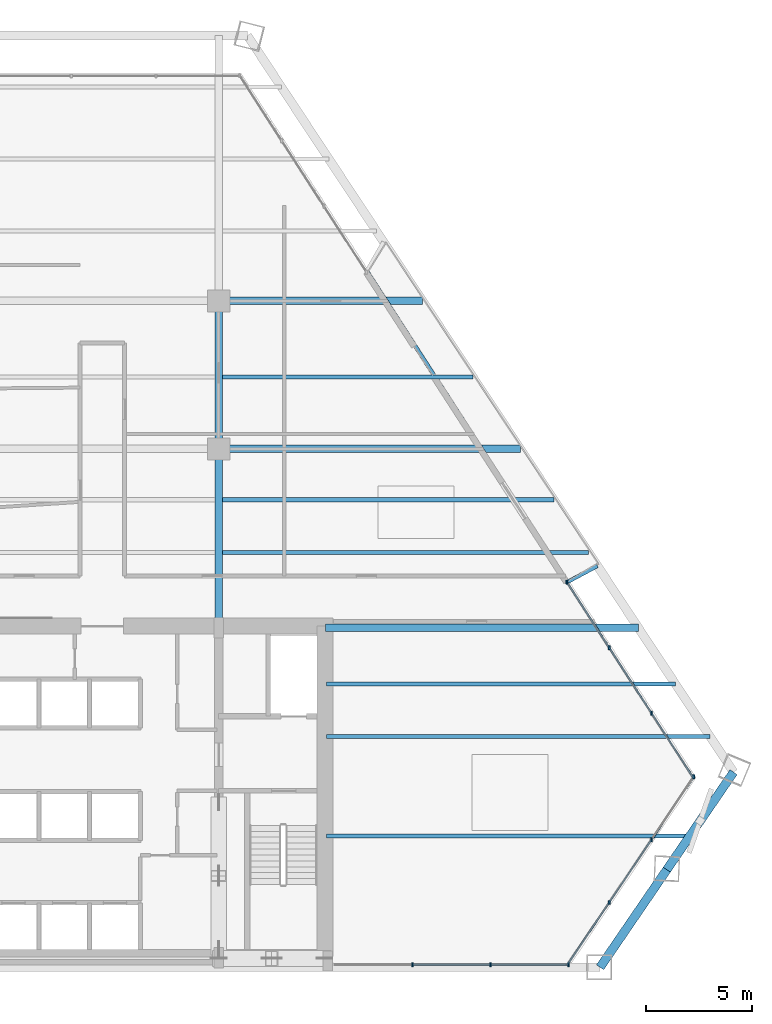
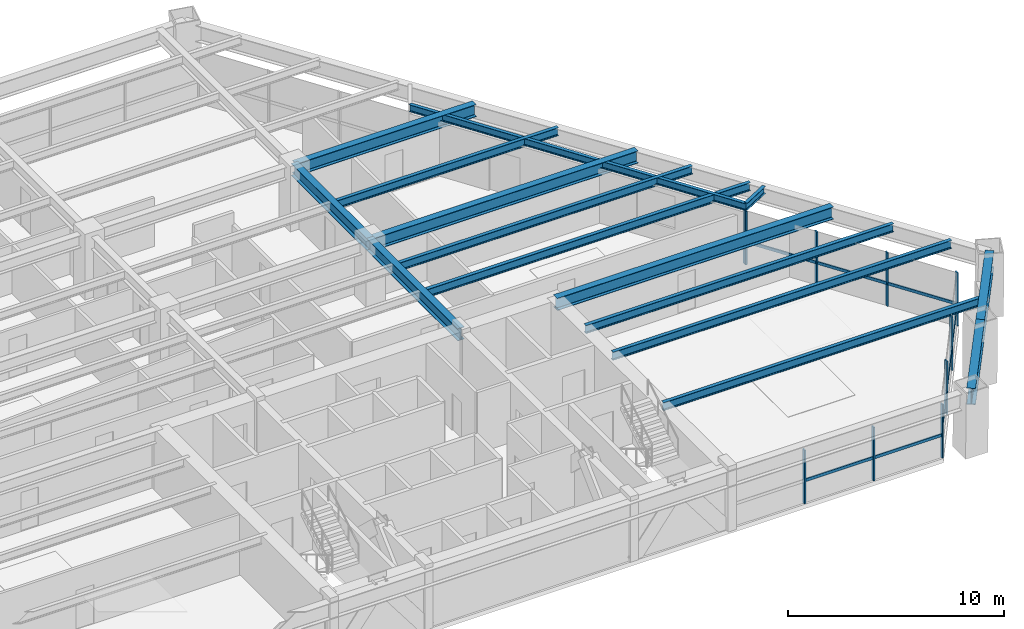
# One storey, part 6 of 14: 18 members, 15 beams, 3 elements without a shape of their own.
"""IFC4 building model written with IfcOpenShell, lengths in metres."""

from ifc_helpers import new_model, si_unit, direction, frame, origin, origin_2d, place, context, subcontext, project, spatial, rectangle, i_section, extrude, source, transform, mapped, material, material_profile, profile_set, type_object, type_shapes, element, aggregate, save


model = new_model("IFC4")

# Units and contexts
model_context = context("Model", 3, precision=1e-05, world=origin(), true_north=direction((0.0, 1.0)))
body_context = subcontext(model_context, "Body", "Model", "MODEL_VIEW")
ifc_project = project(units=[si_unit("LENGTHUNIT", "METRE"), si_unit("AREAUNIT", "SQUARE_METRE"), si_unit("VOLUMEUNIT", "CUBIC_METRE"), si_unit("PLANEANGLEUNIT", "RADIAN"), si_unit("MASSUNIT", "GRAM", prefix="KILO")], contexts=[model_context])

# Site, building, storey
site_placement = place(None, origin())
site = spatial("IfcSite", under=ifc_project, at=site_placement, CompositionType="ELEMENT")
building_placement = place(site_placement, origin())
building = spatial("IfcBuilding", under=site, at=building_placement, Name="Varnakhor Terracotta Tower", CompositionType="ELEMENT")
storey_placement = place(building_placement, frame((0.0, 0.0, 98.800048828125)))
storey = spatial("IfcBuildingStorey", under=building, at=storey_placement, Name="L24", CompositionType="ELEMENT", Elevation=98.800048828125)

# Beams
ifc_material_1 = material(Name="Steel S355", Category="steel")
ifc_material_profile_1 = material_profile(ifc_material_1, i_section(OverallWidth=0.35498046875, OverallDepth=0.695068359375, WebThickness=0.014892578125, FlangeThickness=0.02490234375, FilletRadius=0.01806640625, at=origin_2d()), Name="W27X146")
ifc_profile_set_1 = profile_set([ifc_material_profile_1], Name="Steel S355")
beam_type_1 = type_object("IfcBeamType", Name="BM-W27X146", PredefinedType="BEAM", material=ifc_profile_set_1)
shared_shape_1 = source(origin(), body_context, "Body", "SweptSolid", [
    extrude(i_section(OverallWidth=0.35498046875, OverallDepth=0.695068359375, WebThickness=0.014892578125, FlangeThickness=0.02490234375, FilletRadius=0.01806640625, at=origin_2d()), origin(), (0.0, 0.0, 1.0), 8.449951171875),
])
type_shapes(beam_type_1, [shared_shape_1])
beam_1_placement = place(storey_placement, frame((5.5, 16.050048828125, 3.1025390625), z_axis=(0.0, 1.0, 0.0), x_axis=(-1.0, 0.0, 0.0)))
element("IfcBeam", 1, at=beam_1_placement, inside=storey, type_object=beam_type_1, Name="L24 Primary Girder NS1-E", PredefinedType="BEAM", context=body_context, shape_type="MappedRepresentation", body=[
    mapped(shared_shape_1, transform((0.0, 0.0, 0.0), scale=1.0)),
])
shared_shape_2 = source(origin(), body_context, "Body", "SweptSolid", [
    extrude(i_section(OverallWidth=0.35498046875, OverallDepth=0.695068359375, WebThickness=0.014892578125, FlangeThickness=0.02490234375, FilletRadius=0.01806640625, at=origin_2d()), origin(), (0.0, 0.0, 1.0), 7.0),
])
beam_2_placement = place(storey_placement, frame((5.5, 24.5, 3.1025390625), z_axis=(0.0, 1.0, 0.0), x_axis=(-1.0, 0.0, 0.0)))
element("IfcBeam", 2, at=beam_2_placement, inside=storey, type_object=beam_type_1, Name="L24 Primary Girder NS2-E", PredefinedType="BEAM", context=body_context, shape_type="MappedRepresentation", body=[
    mapped(shared_shape_2, transform((0.0, 0.0, 0.0), scale=1.0)),
])
ifc_material_profile_2 = material_profile(ifc_material_1, i_section(OverallWidth=0.41796875, OverallDepth=0.927001953125, WebThickness=0.01904296875, FlangeThickness=0.031982421875, FilletRadius=0.01806640625, at=origin_2d()), Name="W36X231")
ifc_profile_set_2 = profile_set([ifc_material_profile_2], Name="Steel S355")
beam_type_2 = type_object("IfcBeamType", Name="BM-W36X231", PredefinedType="BEAM", material=ifc_profile_set_2)
shared_shape_3 = source(origin(), body_context, "Body", "SweptSolid", [
    extrude(i_section(OverallWidth=0.41796875, OverallDepth=0.927001953125, WebThickness=0.01904296875, FlangeThickness=0.031982421875, FilletRadius=0.01806640625, at=origin_2d()), origin(), (0.0, 0.0, 1.0), 5.58935546875),
])
beam_3_placement = place(storey_placement, frame((23.525390625, 0.0, 2.986572265625), z_axis=(0.564599355988, 0.825365111461, 0.0), x_axis=(-0.825365111461, 0.564599355988, 0.0)))
element("IfcBeam", 3, at=beam_3_placement, inside=storey, type_object=beam_type_2, Name="L24 Perimeter Spandrel 2", PredefinedType="BEAM", context=body_context, shape_type="MappedRepresentation", body=[
    mapped(shared_shape_3, transform((0.0, 0.0, 0.0), scale=1.0)),
])
shared_shape_4 = source(origin(), body_context, "Body", "SweptSolid", [
    extrude(i_section(OverallWidth=0.41796875, OverallDepth=0.927001953125, WebThickness=0.01904296875, FlangeThickness=0.031982421875, FilletRadius=0.01806640625, at=origin_2d()), origin(), (0.0, 0.0, 1.0), 5.589111328125),
])
beam_4_placement = place(storey_placement, frame((26.68115234375, 4.61328125, 2.986572265625), z_axis=(0.564619711157, 0.825351186934, 0.0), x_axis=(-0.825351186934, 0.564619711157, 0.0)))
element("IfcBeam", 4, at=beam_4_placement, inside=storey, type_object=beam_type_2, Name="L24 Perimeter Spandrel 3", PredefinedType="BEAM", context=body_context, shape_type="MappedRepresentation", body=[
    mapped(shared_shape_4, transform((0.0, 0.0, 0.0), scale=1.0)),
])
ifc_material_profile_3 = material_profile(ifc_material_1, i_section(OverallWidth=0.179931640625, OverallDepth=0.39990234375, WebThickness=0.008544921875, FlangeThickness=0.013427734375, FilletRadius=0.01806640625, at=origin_2d()), Name="IPE400")
ifc_profile_set_3 = profile_set([ifc_material_profile_3], Name="Steel S355")
beam_type_3 = type_object("IfcBeamType", Name="JST-IPE400", PredefinedType="JOIST", material=ifc_profile_set_3)
shared_shape_5 = source(origin(), body_context, "Body", "SweptSolid", [
    extrude(i_section(OverallWidth=0.179931640625, OverallDepth=0.39990234375, WebThickness=0.008544921875, FlangeThickness=0.013427734375, FilletRadius=0.01806640625, at=origin_2d()), origin(), (0.0, 0.0, 1.0), 17.494140625),
])
beam_5_placement = place(storey_placement, frame((21.9833984375, 18.211181640625, 3.25), z_axis=(-0.541920873705, 0.840429513191, 0.0), x_axis=(-0.840429513191, -0.541920873705, 0.0)))
element("IfcBeam", 5, at=beam_5_placement, inside=storey, type_object=beam_type_3, Name="L24 Loggia Edge Beam 1", PredefinedType="JOIST", context=body_context, shape_type="MappedRepresentation", body=[
    mapped(shared_shape_5, transform((0.0, 0.0, 0.0), scale=1.0)),
])
shared_shape_6 = source(origin(), body_context, "Body", "SweptSolid", [
    extrude(i_section(OverallWidth=0.35498046875, OverallDepth=0.695068359375, WebThickness=0.014892578125, FlangeThickness=0.02490234375, FilletRadius=0.01806640625, at=origin_2d()), origin(), (0.0, 0.0, 1.0), 14.782958984375),
])
beam_6_placement = place(storey_placement, frame((10.550048828125, 16.050048828125, 3.1025390625), z_axis=(1.0, 0.0, 0.0), x_axis=(0.0, 1.0, 0.0)))
element("IfcBeam", 6, at=beam_6_placement, inside=storey, type_object=beam_type_1, Name="L24 Wing Girder E", PredefinedType="BEAM", context=body_context, shape_type="MappedRepresentation", body=[
    mapped(shared_shape_6, transform((0.0, 0.0, 0.0), scale=1.0)),
])
shared_shape_7 = source(origin(), body_context, "Body", "SweptSolid", [
    extrude(i_section(OverallWidth=0.35498046875, OverallDepth=0.695068359375, WebThickness=0.014892578125, FlangeThickness=0.02490234375, FilletRadius=0.01806640625, at=origin_2d()), origin(), (0.0, 0.0, 1.0), 14.255615234375),
])
beam_7_placement = place(storey_placement, frame((5.5, 24.5, 3.1025390625), z_axis=(1.0, 0.0, 0.0), x_axis=(0.0, 1.0, 0.0)))
element("IfcBeam", 7, at=beam_7_placement, inside=storey, type_object=beam_type_1, Name="L24 Primary Girder EW2-3", PredefinedType="BEAM", context=body_context, shape_type="MappedRepresentation", body=[
    mapped(shared_shape_7, transform((0.0, 0.0, 0.0), scale=1.0)),
])
shared_shape_8 = source(origin(), body_context, "Body", "SweptSolid", [
    extrude(i_section(OverallWidth=0.35498046875, OverallDepth=0.695068359375, WebThickness=0.014892578125, FlangeThickness=0.02490234375, FilletRadius=0.01806640625, at=origin_2d()), origin(), (0.0, 0.0, 1.0), 9.635009765625),
])
beam_8_placement = place(storey_placement, frame((5.5, 31.5, 3.1025390625), z_axis=(1.0, 0.0, 0.0), x_axis=(0.0, 1.0, 0.0)))
element("IfcBeam", 8, at=beam_8_placement, inside=storey, type_object=beam_type_1, Name="L24 Primary Girder EW3-3", PredefinedType="BEAM", context=body_context, shape_type="MappedRepresentation", body=[
    mapped(shared_shape_8, transform((0.0, 0.0, 0.0), scale=1.0)),
])
ifc_material_profile_4 = material_profile(ifc_material_1, i_section(OverallWidth=0.19189453125, OverallDepth=0.462890625, WebThickness=0.010498046875, FlangeThickness=0.017578125, FilletRadius=0.01806640625, at=origin_2d()), Name="W18X60")
ifc_profile_set_4 = profile_set([ifc_material_profile_4], Name="Steel S355")
beam_type_4 = type_object("IfcBeamType", Name="JST-W18X60", PredefinedType="JOIST", material=ifc_profile_set_4)
shared_shape_9 = source(origin(), body_context, "Body", "SweptSolid", [
    extrude(i_section(OverallWidth=0.19189453125, OverallDepth=0.462890625, WebThickness=0.010498046875, FlangeThickness=0.017578125, FilletRadius=0.01806640625, at=origin_2d()), origin(), (0.0, 0.0, 1.0), 17.16650390625),
])
beam_9_placement = place(storey_placement, frame((10.60009765625, 6.199951171875, 3.218505859375), z_axis=(1.0, 0.0, 0.0), x_axis=(0.0, 1.0, 0.0)))
element("IfcBeam", 9, at=beam_9_placement, inside=storey, type_object=beam_type_4, Name="L24 Floor Joist E1", PredefinedType="JOIST", context=body_context, shape_type="MappedRepresentation", body=[
    mapped(shared_shape_9, transform((0.0, 0.0, 0.0), scale=1.0)),
])
shared_shape_10 = source(origin(), body_context, "Body", "SweptSolid", [
    extrude(i_section(OverallWidth=0.19189453125, OverallDepth=0.462890625, WebThickness=0.010498046875, FlangeThickness=0.017578125, FilletRadius=0.01806640625, at=origin_2d()), origin(), (0.0, 0.0, 1.0), 18.132080078125),
])
beam_10_placement = place(storey_placement, frame((10.60009765625, 10.89990234375, 3.218505859375), z_axis=(1.0, 0.0, 0.0), x_axis=(0.0, 1.0, 0.0)))
element("IfcBeam", 10, at=beam_10_placement, inside=storey, type_object=beam_type_4, Name="L24 Floor Joist E2", PredefinedType="JOIST", context=body_context, shape_type="MappedRepresentation", body=[
    mapped(shared_shape_10, transform((0.0, 0.0, 0.0), scale=1.0)),
])
shared_shape_11 = source(origin(), body_context, "Body", "SweptSolid", [
    extrude(i_section(OverallWidth=0.19189453125, OverallDepth=0.462890625, WebThickness=0.010498046875, FlangeThickness=0.017578125, FilletRadius=0.01806640625, at=origin_2d()), origin(), (0.0, 0.0, 1.0), 16.48193359375),
])
beam_11_placement = place(storey_placement, frame((10.60009765625, 13.39990234375, 3.218505859375), z_axis=(1.0, 0.0, 0.0), x_axis=(0.0, 1.0, 0.0)))
element("IfcBeam", 11, at=beam_11_placement, inside=storey, type_object=beam_type_4, Name="L24 Floor Joist E3", PredefinedType="JOIST", context=body_context, shape_type="MappedRepresentation", body=[
    mapped(shared_shape_11, transform((0.0, 0.0, 0.0), scale=1.0)),
])
shared_shape_12 = source(origin(), body_context, "Body", "SweptSolid", [
    extrude(i_section(OverallWidth=0.19189453125, OverallDepth=0.462890625, WebThickness=0.010498046875, FlangeThickness=0.017578125, FilletRadius=0.01806640625, at=origin_2d()), origin(), (0.0, 0.0, 1.0), 17.316162109375),
])
beam_12_placement = place(storey_placement, frame((5.673583984375, 19.60009765625, 3.218505859375), z_axis=(1.0, 0.0, 0.0), x_axis=(0.0, 1.0, 0.0)))
element("IfcBeam", 12, at=beam_12_placement, inside=storey, type_object=beam_type_4, Name="L24 Composite Floor Joist 4-3", PredefinedType="JOIST", context=body_context, shape_type="MappedRepresentation", body=[
    mapped(shared_shape_12, transform((0.0, 0.0, 0.0), scale=1.0)),
])
shared_shape_13 = source(origin(), body_context, "Body", "SweptSolid", [
    extrude(i_section(OverallWidth=0.19189453125, OverallDepth=0.462890625, WebThickness=0.010498046875, FlangeThickness=0.017578125, FilletRadius=0.01806640625, at=origin_2d()), origin(), (0.0, 0.0, 1.0), 15.666015625),
])
beam_13_placement = place(storey_placement, frame((5.673583984375, 22.10009765625, 3.218505859375), z_axis=(1.0, 0.0, 0.0), x_axis=(0.0, 1.0, 0.0)))
element("IfcBeam", 13, at=beam_13_placement, inside=storey, type_object=beam_type_4, Name="L24 Composite Floor Joist 5-3", PredefinedType="JOIST", context=body_context, shape_type="MappedRepresentation", body=[
    mapped(shared_shape_13, transform((0.0, 0.0, 0.0), scale=1.0)),
])
shared_shape_14 = source(origin(), body_context, "Body", "SweptSolid", [
    extrude(i_section(OverallWidth=0.19189453125, OverallDepth=0.462890625, WebThickness=0.010498046875, FlangeThickness=0.017578125, FilletRadius=0.01806640625, at=origin_2d()), origin(), (0.0, 0.0, 1.0), 11.837646484375),
])
beam_14_placement = place(storey_placement, frame((5.673583984375, 27.89990234375, 3.218505859375), z_axis=(1.0, 0.0, 0.0), x_axis=(0.0, 1.0, 0.0)))
element("IfcBeam", 14, at=beam_14_placement, inside=storey, type_object=beam_type_4, Name="L24 Composite Floor Joist 6-3", PredefinedType="JOIST", context=body_context, shape_type="MappedRepresentation", body=[
    mapped(shared_shape_14, transform((0.0, 0.0, 0.0), scale=1.0)),
])

# Curtain wall, members
ifc_material_2 = material(Name="Anodised Aluminium Curtain Wall System", Category="aluminium")
curtain_wall_type = type_object("IfcCurtainWallType", Name="CW-SYS-LOW-OFFICE", PredefinedType="NOTDEFINED", material=ifc_material_2)
curtain_wall_1_placement = place(storey_placement, origin())
curtain_wall_1 = element("IfcCurtainWall", 15, at=curtain_wall_1_placement, inside=storey, type_object=curtain_wall_type, Name="L24 E Facet Curtain Wall 2", PredefinedType="NOTDEFINED")
ifc_material_3 = material(Name="Anodised Aluminium 6063-T6", Category="aluminium")
ifc_material_profile_5 = material_profile(ifc_material_3, rectangle(XDim=0.074951171875, YDim=0.18505859375, at=origin_2d()), Name="ALU MULLION 75x185")
ifc_profile_set_5 = profile_set([ifc_material_profile_5], Name="Anodised Aluminium 6063-T6")
member_type_1 = type_object("IfcMemberType", Name="CWM-02", PredefinedType="MULLION", material=ifc_profile_set_5)
shared_shape_15 = source(origin(), body_context, "Body", "SweptSolid", [
    extrude(rectangle(XDim=0.074951171875, YDim=0.18505859375, at=origin_2d()), origin(), (0.0, 0.0, 1.0), 3.030029296875),
])
type_shapes(member_type_1, [shared_shape_15])
member_1_placement = place(storey_placement, frame((21.96533203125, 18.196533203125, 0.0), z_axis=(0.0, 0.0, 1.0), x_axis=(1.0, 0.0, 0.0)))
member_1 = element("IfcMember", 16, at=member_1_placement, type_object=member_type_1, Name="L24 E Facet Curtain Wall 2 Mullion 1", PredefinedType="MULLION", context=body_context, shape_type="MappedRepresentation", body=[
    mapped(shared_shape_15, transform((0.0, 0.0, 0.0), scale=1.0)),
])
member_2_placement = place(storey_placement, frame((23.961181640625, 15.107421875, 0.0), z_axis=(0.0, 0.0, 1.0), x_axis=(1.0, 0.0, 0.0)))
member_2 = element("IfcMember", 17, at=member_2_placement, type_object=member_type_1, Name="L24 E Facet Curtain Wall 2 Mullion 2", PredefinedType="MULLION", context=body_context, shape_type="MappedRepresentation", body=[
    mapped(shared_shape_15, transform((0.0, 0.0, 0.0), scale=1.0)),
])
member_3_placement = place(storey_placement, frame((25.956787109375, 12.01806640625, 0.0), z_axis=(0.0, 0.0, 1.0), x_axis=(1.0, 0.0, 0.0)))
member_3 = element("IfcMember", 18, at=member_3_placement, type_object=member_type_1, Name="L24 E Facet Curtain Wall 2 Mullion 3", PredefinedType="MULLION", context=body_context, shape_type="MappedRepresentation", body=[
    mapped(shared_shape_15, transform((0.0, 0.0, 0.0), scale=1.0)),
])
member_4_placement = place(storey_placement, frame((21.932373046875, 18.2109375, 0.0), z_axis=(0.0, 0.0, 1.0), x_axis=(1.0, 0.0, 0.0)))
member_4 = element("IfcMember", 19, at=member_4_placement, type_object=member_type_1, Name="L24 E Loggia Jamb Closure Mullion 2", PredefinedType="MULLION", context=body_context, shape_type="MappedRepresentation", body=[
    mapped(shared_shape_15, transform((0.0, 0.0, 0.0), scale=1.0)),
])

curtain_wall_2_placement = place(storey_placement, origin())
curtain_wall_2 = element("IfcCurtainWall", 20, at=curtain_wall_2_placement, inside=storey, type_object=curtain_wall_type, Name="L24 Facet Curtain Wall 4", PredefinedType="NOTDEFINED")
member_5_placement = place(storey_placement, frame((27.953125, 9.0107421875, 0.0), z_axis=(0.0, 0.0, 1.0), x_axis=(1.0, 0.0, 0.0)))
member_5 = element("IfcMember", 21, at=member_5_placement, type_object=member_type_1, Name="L24 Facet Curtain Wall 4 Mullion 1", PredefinedType="MULLION", context=body_context, shape_type="MappedRepresentation", body=[
    mapped(shared_shape_15, transform((0.0, 0.0, 0.0), scale=1.0)),
])
member_6_placement = place(storey_placement, frame((25.95751953125, 6.037841796875, 0.0), z_axis=(0.0, 0.0, 1.0), x_axis=(1.0, 0.0, 0.0)))
member_6 = element("IfcMember", 22, at=member_6_placement, type_object=member_type_1, Name="L24 Facet Curtain Wall 4 Mullion 2", PredefinedType="MULLION", context=body_context, shape_type="MappedRepresentation", body=[
    mapped(shared_shape_15, transform((0.0, 0.0, 0.0), scale=1.0)),
])
member_7_placement = place(storey_placement, frame((23.9619140625, 3.064697265625, 0.0), z_axis=(0.0, 0.0, 1.0), x_axis=(1.0, 0.0, 0.0)))
member_7 = element("IfcMember", 23, at=member_7_placement, type_object=member_type_1, Name="L24 Facet Curtain Wall 4 Mullion 3", PredefinedType="MULLION", context=body_context, shape_type="MappedRepresentation", body=[
    mapped(shared_shape_15, transform((0.0, 0.0, 0.0), scale=1.0)),
])

curtain_wall_3_placement = place(storey_placement, origin())
curtain_wall_3 = element("IfcCurtainWall", 24, at=curtain_wall_3_placement, inside=storey, type_object=curtain_wall_type, Name="L24 South Wing Curtain Wall SSE", PredefinedType="NOTDEFINED")
member_8_placement = place(storey_placement, frame((22.039306640625, 0.1201171875, 0.0), z_axis=(0.0, 0.0, 1.0), x_axis=(1.0, 0.0, 0.0)))
member_8 = element("IfcMember", 25, at=member_8_placement, type_object=member_type_1, Name="L24 South Wing Curtain Wall SSE Mullion 1", PredefinedType="MULLION", context=body_context, shape_type="MappedRepresentation", body=[
    mapped(shared_shape_15, transform((0.0, 0.0, 0.0), scale=1.0)),
])
member_9_placement = place(storey_placement, frame((18.349609375, 0.1201171875, 0.0), z_axis=(0.0, 0.0, 1.0), x_axis=(1.0, 0.0, 0.0)))
member_9 = element("IfcMember", 26, at=member_9_placement, type_object=member_type_1, Name="L24 South Wing Curtain Wall SSE Mullion 2", PredefinedType="MULLION", context=body_context, shape_type="MappedRepresentation", body=[
    mapped(shared_shape_15, transform((0.0, 0.0, 0.0), scale=1.0)),
])
member_10_placement = place(storey_placement, frame((14.659912109375, 0.1201171875, 0.0), z_axis=(0.0, 0.0, 1.0), x_axis=(1.0, 0.0, 0.0)))
member_10 = element("IfcMember", 27, at=member_10_placement, type_object=member_type_1, Name="L24 South Wing Curtain Wall SSE Mullion 3", PredefinedType="MULLION", context=body_context, shape_type="MappedRepresentation", body=[
    mapped(shared_shape_15, transform((0.0, 0.0, 0.0), scale=1.0)),
])

# Member
ifc_material_profile_6 = material_profile(ifc_material_3, rectangle(XDim=0.074951171875, YDim=0.1650390625, at=origin_2d()), Name="ALU TRANSOM 75x165")
ifc_profile_set_6 = profile_set([ifc_material_profile_6], Name="Anodised Aluminium 6063-T6")
member_type_2 = type_object("IfcMemberType", Name="CWT-02", PredefinedType="USERDEFINED", material=ifc_profile_set_6)
shared_shape_16 = source(origin(), body_context, "Body", "SweptSolid", [
    extrude(rectangle(XDim=0.074951171875, YDim=0.1650390625, at=origin_2d()), origin(), (0.0, 0.0, 1.0), 3.677734375),
])
member_11_placement = place(storey_placement, frame((21.96533203125, 18.196533203125, 1.2724609375), z_axis=(0.542678641468, -0.839940409847, 0.0), x_axis=(0.839940409847, 0.542678641468, 0.0)))
member_11 = element("IfcMember", 28, at=member_11_placement, type_object=member_type_2, Name="L24 E Facet Curtain Wall 2 Transom 1", ObjectType="TRANSOM", PredefinedType="USERDEFINED", context=body_context, shape_type="MappedRepresentation", body=[
    mapped(shared_shape_16, transform((0.0, 0.0, 0.0), scale=1.0)),
])

member_12_placement = place(storey_placement, frame((23.961181640625, 15.107421875, 1.2724609375), z_axis=(0.542601549296, -0.839990213456, 0.0), x_axis=(0.839990213456, 0.542601549296, 0.0)))
member_12 = element("IfcMember", 29, at=member_12_placement, type_object=member_type_2, Name="L24 E Facet Curtain Wall 2 Transom 2", ObjectType="TRANSOM", PredefinedType="USERDEFINED", context=body_context, shape_type="MappedRepresentation", body=[
    mapped(shared_shape_16, transform((0.0, 0.0, 0.0), scale=1.0)),
])

member_13_placement = place(storey_placement, frame((25.956787109375, 12.01806640625, 1.2724609375), z_axis=(0.542631805944, -0.839970668046, 0.0), x_axis=(0.839970668046, 0.542631805944, 0.0)))
member_13 = element("IfcMember", 30, at=member_13_placement, type_object=member_type_2, Name="L24 E Facet Curtain Wall 2 Transom 3", ObjectType="TRANSOM", PredefinedType="USERDEFINED", context=body_context, shape_type="MappedRepresentation", body=[
    mapped(shared_shape_16, transform((0.0, 0.0, 0.0), scale=1.0)),
])

aggregate(curtain_wall_1, [member_1, member_11, member_2, member_12, member_3, member_13, member_4])

shared_shape_17 = source(origin(), body_context, "Body", "SweptSolid", [
    extrude(rectangle(XDim=0.074951171875, YDim=0.1650390625, at=origin_2d()), origin(), (0.0, 0.0, 1.0), 3.58056640625),
])
member_14_placement = place(storey_placement, frame((27.953125, 9.0107421875, 1.2724609375), z_axis=(-0.557340860957, -0.830283785647, 0.0), x_axis=(0.830283785647, -0.557340860957, 0.0)))
member_14 = element("IfcMember", 31, at=member_14_placement, type_object=member_type_2, Name="L24 Facet Curtain Wall 4 Transom 1", ObjectType="TRANSOM", PredefinedType="USERDEFINED", context=body_context, shape_type="MappedRepresentation", body=[
    mapped(shared_shape_17, transform((0.0, 0.0, 0.0), scale=1.0)),
])

member_15_placement = place(storey_placement, frame((23.9619140625, 3.064697265625, 1.2724609375), z_axis=(-0.557340860957, -0.830283785647, 0.0), x_axis=(0.830283785647, -0.557340860957, 0.0)))
member_15 = element("IfcMember", 32, at=member_15_placement, type_object=member_type_2, Name="L24 Facet Curtain Wall 4 Transom 3", ObjectType="TRANSOM", PredefinedType="USERDEFINED", context=body_context, shape_type="MappedRepresentation", body=[
    mapped(shared_shape_17, transform((0.0, 0.0, 0.0), scale=1.0)),
])

shared_shape_18 = source(origin(), body_context, "Body", "SweptSolid", [
    extrude(rectangle(XDim=0.074951171875, YDim=0.1650390625, at=origin_2d()), origin(), (0.0, 0.0, 1.0), 3.580810546875),
])
member_16_placement = place(storey_placement, frame((25.95751953125, 6.037841796875, 1.2724609375), z_axis=(-0.557309309847, -0.830304963949, 0.0), x_axis=(0.830304963949, -0.557309309847, 0.0)))
member_16 = element("IfcMember", 33, at=member_16_placement, type_object=member_type_2, Name="L24 Facet Curtain Wall 4 Transom 2", ObjectType="TRANSOM", PredefinedType="USERDEFINED", context=body_context, shape_type="MappedRepresentation", body=[
    mapped(shared_shape_18, transform((0.0, 0.0, 0.0), scale=1.0)),
])

aggregate(curtain_wall_2, [member_5, member_14, member_6, member_16, member_7, member_15])

shared_shape_19 = source(origin(), body_context, "Body", "SweptSolid", [
    extrude(rectangle(XDim=0.074951171875, YDim=0.1650390625, at=origin_2d()), origin(), (0.0, 0.0, 1.0), 3.689697265625),
])
member_17_placement = place(storey_placement, frame((22.039306640625, 0.1201171875, 1.2724609375), z_axis=(-1.0, 0.0, 0.0), x_axis=(0.0, -1.0, 0.0)))
member_17 = element("IfcMember", 34, at=member_17_placement, type_object=member_type_2, Name="L24 South Wing Curtain Wall SSE Transom 1", ObjectType="TRANSOM", PredefinedType="USERDEFINED", context=body_context, shape_type="MappedRepresentation", body=[
    mapped(shared_shape_19, transform((0.0, 0.0, 0.0), scale=1.0)),
])

member_18_placement = place(storey_placement, frame((18.349609375, 0.1201171875, 1.2724609375), z_axis=(-1.0, 0.0, 0.0), x_axis=(0.0, -1.0, 0.0)))
member_18 = element("IfcMember", 35, at=member_18_placement, type_object=member_type_2, Name="L24 South Wing Curtain Wall SSE Transom 2", ObjectType="TRANSOM", PredefinedType="USERDEFINED", context=body_context, shape_type="MappedRepresentation", body=[
    mapped(shared_shape_19, transform((0.0, 0.0, 0.0), scale=1.0)),
])

aggregate(curtain_wall_3, [member_8, member_17, member_9, member_18, member_10])

# Beam
shared_shape_20 = source(origin(), body_context, "Body", "SweptSolid", [
    extrude(i_section(OverallWidth=0.179931640625, OverallDepth=0.39990234375, WebThickness=0.008544921875, FlangeThickness=0.013427734375, FilletRadius=0.01806640625, at=origin_2d()), origin(), (0.0, 0.0, 1.0), 1.611328125),
])
beam_15_placement = place(storey_placement, frame((21.9833984375, 18.211181640625, 3.25), z_axis=(0.880728815053, 0.473620897274, 0.0), x_axis=(-0.473620897274, 0.880728815053, 0.0)))
element("IfcBeam", 36, at=beam_15_placement, inside=storey, type_object=beam_type_3, Name="L25 E Loggia Tie Beam 2", PredefinedType="JOIST", context=body_context, shape_type="MappedRepresentation", body=[
    mapped(shared_shape_20, transform((0.0, 0.0, 0.0), scale=1.0)),
])

save(model, "model.ifc")
